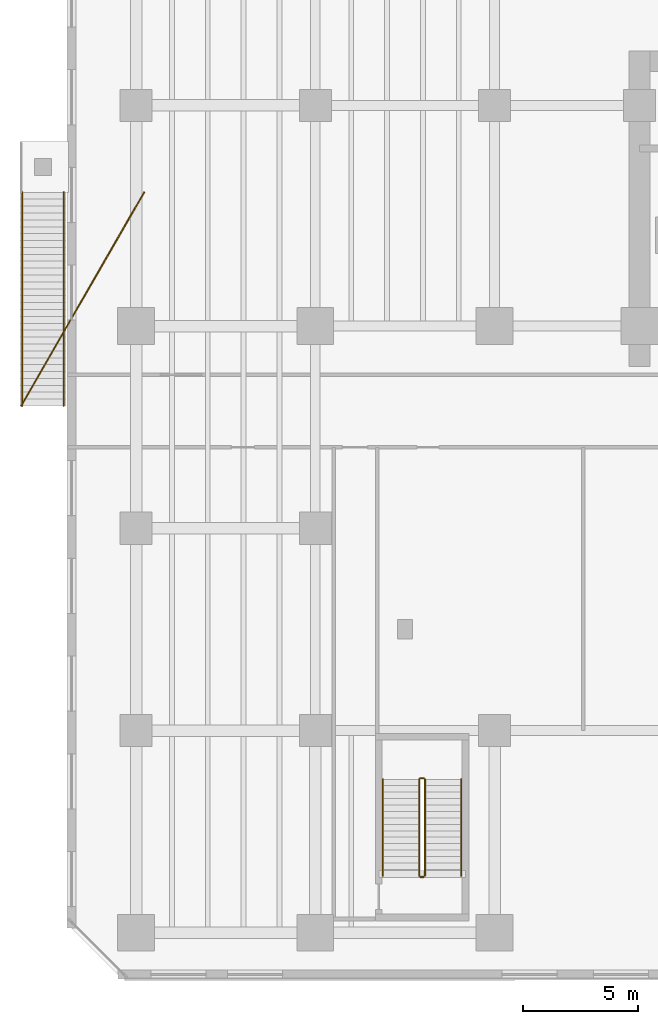
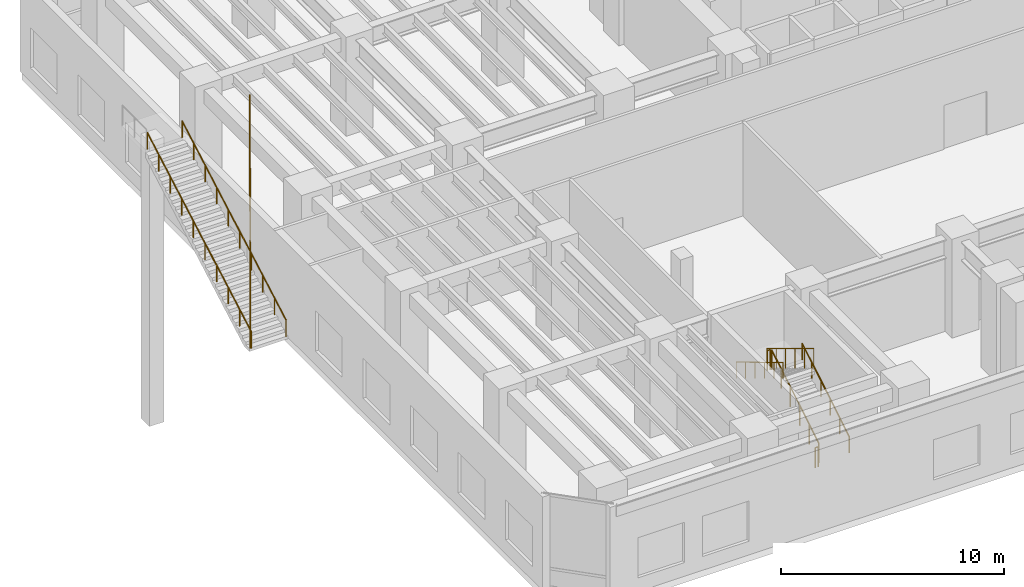
# One storey, part 18 of 21: 9 railings.
"""IFC4 building model written with IfcOpenShell, lengths in metres."""

from ifc_helpers import new_model, si_unit, direction, frame, origin, origin_2d, place, context, subcontext, project, spatial, circle, extrude, material, type_object, element, save


model = new_model("IFC4")

# Units and contexts
model_context = context("Model", 3, precision=1e-05, world=origin(), true_north=direction((0.0, 1.0)))
body_context = subcontext(model_context, "Body", "Model", "MODEL_VIEW")
ifc_project = project(units=[si_unit("LENGTHUNIT", "METRE"), si_unit("AREAUNIT", "SQUARE_METRE"), si_unit("VOLUMEUNIT", "CUBIC_METRE"), si_unit("PLANEANGLEUNIT", "RADIAN"), si_unit("MASSUNIT", "GRAM", prefix="KILO")], contexts=[model_context])

# Site, building, storey
site_placement = place(None, origin())
site = spatial("IfcSite", under=ifc_project, at=site_placement, CompositionType="ELEMENT")
building_placement = place(site_placement, origin())
building = spatial("IfcBuilding", under=site, at=building_placement, Name="Kestravale Grand Hotel", CompositionType="ELEMENT")
storey_placement = place(building_placement, frame((0.0, 0.0, 10.39990234375)))
storey = spatial("IfcBuildingStorey", under=building, at=storey_placement, Name="L02", CompositionType="ELEMENT", Elevation=10.39990234375)

# Railings
ifc_material_1 = material(Name="Champagne-bronze stainless steel and laminated glass guard", Category="steel")
railing_type_1 = type_object("IfcRailingType", Name="RL-EXT-1100", PredefinedType="GUARDRAIL", material=ifc_material_1)
railing_1_placement = place(storey_placement, frame((-5.0, 25.320068359375, 0.168701171875)))
element("IfcRailing", 1, at=railing_1_placement, inside=storey, type_object=railing_type_1, Name="L02 garden stair flight guard", PredefinedType="GUARDRAIL", context=body_context, shape_type="SweptSolid", body=[
    extrude(circle(Radius=0.02392578125, at=origin_2d()), frame((0.0, 0.0, 1.09619140625), z_axis=(0.448209427248, 0.779120275264, 0.438269216348), x_axis=(-0.86680279175, 0.498651100685, 0.0)), (0.0, 0.0, 1.0), 11.9365234375),
    extrude(circle(Radius=0.02099609375, at=origin_2d()), origin(), (0.0, 0.0, 1.0), 1.072021484375),
    extrude(circle(Radius=0.02099609375, at=origin_2d()), frame((0.8916015625, 1.550048828125, 0.871826171875)), (0.0, 0.0, 1.0), 1.072021484375),
    extrude(circle(Radius=0.02099609375, at=origin_2d()), frame((1.783447265625, 3.10009765625, 1.743896484375)), (0.0, 0.0, 1.0), 1.072021484375),
    extrude(circle(Radius=0.02099609375, at=origin_2d()), frame((2.675048828125, 4.64990234375, 2.61572265625)), (0.0, 0.0, 1.0), 1.072021484375),
    extrude(circle(Radius=0.02099609375, at=origin_2d()), frame((3.566650390625, 6.199951171875, 3.487548828125)), (0.0, 0.0, 1.0), 1.072021484375),
    extrude(circle(Radius=0.02099609375, at=origin_2d()), frame((4.45849609375, 7.75, 4.359619140625)), (0.0, 0.0, 1.0), 1.072021484375),
    extrude(circle(Radius=0.02099609375, at=origin_2d()), frame((5.35009765625, 9.300048828125, 5.2314453125)), (0.0, 0.0, 1.0), 1.072021484375),
])
ifc_material_2 = material(Name="Brushed bronze stainless steel handrail", Category="steel")
railing_type_2 = type_object("IfcRailingType", Name="RL-EXT-915", PredefinedType="HANDRAIL", material=ifc_material_2)
for number, where, name in (
    (2, (-4.949951171875, 25.320068359375, 0.168701171875), "L02 garden stair handrail W"),
    (3, (-3.14990234375, 25.320068359375, 0.168701171875), "L02 garden stair handrail E"),
):
    element("IfcRailing", number, at=place(storey_placement, frame(where)), inside=storey, type_object=railing_type_2, Name=name, PredefinedType="HANDRAIL", context=body_context, shape_type="SweptSolid", body=[
        extrude(circle(Radius=0.02392578125, at=origin_2d()), frame((0.0, 0.0, 0.89111328125), z_axis=(0.0, 0.871568815611, 0.490273188799), x_axis=(-1.0, 0.0, 0.0)), (0.0, 0.0, 1.0), 10.67041015625),
        extrude(circle(Radius=0.02099609375, at=origin_2d()), origin(), (0.0, 0.0, 1.0), 0.866943359375),
        extrude(circle(Radius=0.02099609375, at=origin_2d()), frame((0.0, 1.033447265625, 0.581298828125)), (0.0, 0.0, 1.0), 0.866943359375),
        extrude(circle(Radius=0.02099609375, at=origin_2d()), frame((0.0, 2.066650390625, 1.16259765625)), (0.0, 0.0, 1.0), 0.866943359375),
        extrude(circle(Radius=0.02099609375, at=origin_2d()), frame((0.0, 3.10009765625, 1.743896484375)), (0.0, 0.0, 1.0), 0.866943359375),
        extrude(circle(Radius=0.02099609375, at=origin_2d()), frame((0.0, 4.13330078125, 2.3251953125)), (0.0, 0.0, 1.0), 0.866943359375),
        extrude(circle(Radius=0.02099609375, at=origin_2d()), frame((0.0, 5.166748046875, 2.90625)), (0.0, 0.0, 1.0), 0.866943359375),
        extrude(circle(Radius=0.02099609375, at=origin_2d()), frame((0.0, 6.199951171875, 3.487548828125)), (0.0, 0.0, 1.0), 0.866943359375),
        extrude(circle(Radius=0.02099609375, at=origin_2d()), frame((0.0, 7.2333984375, 4.06884765625)), (0.0, 0.0, 1.0), 0.866943359375),
        extrude(circle(Radius=0.02099609375, at=origin_2d()), frame((0.0, 8.2666015625, 4.650146484375)), (0.0, 0.0, 1.0), 0.866943359375),
        extrude(circle(Radius=0.02099609375, at=origin_2d()), frame((0.0, 9.300048828125, 5.2314453125)), (0.0, 0.0, 1.0), 0.866943359375),
    ])
ifc_material_3 = material(Name="Painted tubular steel stair well guard", Category="steel")
railing_type_3 = type_object("IfcRailingType", Name="RL-ST-GRD1100", PredefinedType="GUARDRAIL", material=ifc_material_3)
railing_2_placement = place(storey_placement, frame((12.570068359375, 4.8798828125, 0.1689453125)))
element("IfcRailing", 4, at=railing_2_placement, inside=storey, type_object=railing_type_3, Name="L02 ST-4 stair guard 1", PredefinedType="GUARDRAIL", context=body_context, shape_type="SweptSolid", body=[
    extrude(circle(Radius=0.02392578125, at=origin_2d()), frame((0.0, 0.0, 1.076171875), z_axis=(0.0, 0.856489757249, 0.516164020179), x_axis=(-1.0, 0.0, 0.0)), (0.0, 0.0, 1.0), 4.904052734375),
    extrude(circle(Radius=0.02099609375, at=origin_2d()), origin(), (0.0, 0.0, 1.0), 1.052001953125),
    extrude(circle(Radius=0.02099609375, at=origin_2d()), frame((0.0, 0.840087890625, 0.50634765625)), (0.0, 0.0, 1.0), 1.052001953125),
    extrude(circle(Radius=0.02099609375, at=origin_2d()), frame((0.0, 1.68017578125, 1.012451171875)), (0.0, 0.0, 1.0), 1.052001953125),
    extrude(circle(Radius=0.02099609375, at=origin_2d()), frame((0.0, 2.52001953125, 1.518798828125)), (0.0, 0.0, 1.0), 1.052001953125),
    extrude(circle(Radius=0.02099609375, at=origin_2d()), frame((0.0, 3.360107421875, 2.02490234375)), (0.0, 0.0, 1.0), 1.052001953125),
    extrude(circle(Radius=0.02099609375, at=origin_2d()), frame((0.0, 4.2001953125, 2.53125)), (0.0, 0.0, 1.0), 1.052001953125),
])
railing_3_placement = place(storey_placement, frame((12.52001953125, 9.1298828125, 2.7001953125)))
element("IfcRailing", 5, at=railing_3_placement, inside=storey, type_object=railing_type_3, Name="L02 ST-4 stair guard 2", PredefinedType="GUARDRAIL", context=body_context, shape_type="SweptSolid", body=[
    extrude(circle(Radius=0.02392578125, at=origin_2d()), frame((0.0, 0.0, 1.076171875), z_axis=(-1.0, 0.0, 0.0), x_axis=(0.0, -1.0, 0.0)), (0.0, 0.0, 1.0), 0.14990234375),
    extrude(circle(Radius=0.02099609375, at=origin_2d()), origin(), (0.0, 0.0, 1.0), 1.052001953125),
    extrude(circle(Radius=0.02099609375, at=origin_2d()), frame((-0.14990234375, 0.0, 0.0)), (0.0, 0.0, 1.0), 1.052001953125),
])
railing_4_placement = place(storey_placement, frame((12.320068359375, 9.080078125, 2.868896484375)))
element("IfcRailing", 6, at=railing_4_placement, inside=storey, type_object=railing_type_3, Name="L02 ST-4 stair guard 3", PredefinedType="GUARDRAIL", context=body_context, shape_type="SweptSolid", body=[
    extrude(circle(Radius=0.02392578125, at=origin_2d()), frame((0.0, 0.0, 1.076171875), z_axis=(0.0, -0.856489757249, 0.516164020179), x_axis=(1.0, 0.0, 0.0)), (0.0, 0.0, 1.0), 4.904052734375),
    extrude(circle(Radius=0.02099609375, at=origin_2d()), origin(), (0.0, 0.0, 1.0), 1.052001953125),
    extrude(circle(Radius=0.02099609375, at=origin_2d()), frame((0.0, -0.840087890625, 0.50634765625)), (0.0, 0.0, 1.0), 1.052001953125),
    extrude(circle(Radius=0.02099609375, at=origin_2d()), frame((0.0, -1.68017578125, 1.012451171875)), (0.0, 0.0, 1.0), 1.052001953125),
    extrude(circle(Radius=0.02099609375, at=origin_2d()), frame((0.0, -2.52001953125, 1.518798828125)), (0.0, 0.0, 1.0), 1.052001953125),
    extrude(circle(Radius=0.02099609375, at=origin_2d()), frame((0.0, -3.360107421875, 2.02490234375)), (0.0, 0.0, 1.0), 1.052001953125),
    extrude(circle(Radius=0.02099609375, at=origin_2d()), frame((0.0, -4.2001953125, 2.53125)), (0.0, 0.0, 1.0), 1.052001953125),
])
railing_5_placement = place(storey_placement, frame((12.52001953125, 4.830078125, 0.0)))
element("IfcRailing", 7, at=railing_5_placement, inside=storey, type_object=railing_type_3, Name="L02 ST-4 stair guard 4", PredefinedType="GUARDRAIL", context=body_context, shape_type="SweptSolid", body=[
    extrude(circle(Radius=0.02392578125, at=origin_2d()), frame((0.0, 0.0, 1.076171875), z_axis=(-1.0, 0.0, 0.0), x_axis=(0.0, -1.0, 0.0)), (0.0, 0.0, 1.0), 0.14990234375),
    extrude(circle(Radius=0.02099609375, at=origin_2d()), origin(), (0.0, 0.0, 1.0), 1.052001953125),
    extrude(circle(Radius=0.02099609375, at=origin_2d()), frame((-0.14990234375, 0.0, 0.0)), (0.0, 0.0, 1.0), 1.052001953125),
])
ifc_material_4 = material(Name="Brushed stainless steel wall handrail", Category="steel")
railing_type_4 = type_object("IfcRailingType", Name="RL-ST-HND900", PredefinedType="HANDRAIL", material=ifc_material_4)
railing_6_placement = place(storey_placement, frame((14.14990234375, 4.8798828125, 0.1689453125)))
element("IfcRailing", 8, at=railing_6_placement, inside=storey, type_object=railing_type_4, Name="L02 ST-4 stair handrail 1", PredefinedType="HANDRAIL", context=body_context, shape_type="SweptSolid", body=[
    extrude(circle(Radius=0.02392578125, at=origin_2d()), frame((0.0, 0.0, 0.8759765625), z_axis=(0.0, 0.856489757249, 0.516164020179), x_axis=(-1.0, 0.0, 0.0)), (0.0, 0.0, 1.0), 4.904052734375),
    extrude(circle(Radius=0.02099609375, at=origin_2d()), origin(), (0.0, 0.0, 1.0), 0.851806640625),
    extrude(circle(Radius=0.02099609375, at=origin_2d()), frame((0.0, 0.840087890625, 0.50634765625)), (0.0, 0.0, 1.0), 0.851806640625),
    extrude(circle(Radius=0.02099609375, at=origin_2d()), frame((0.0, 1.68017578125, 1.012451171875)), (0.0, 0.0, 1.0), 0.851806640625),
    extrude(circle(Radius=0.02099609375, at=origin_2d()), frame((0.0, 2.52001953125, 1.518798828125)), (0.0, 0.0, 1.0), 0.851806640625),
    extrude(circle(Radius=0.02099609375, at=origin_2d()), frame((0.0, 3.360107421875, 2.02490234375)), (0.0, 0.0, 1.0), 0.851806640625),
    extrude(circle(Radius=0.02099609375, at=origin_2d()), frame((0.0, 4.2001953125, 2.53125)), (0.0, 0.0, 1.0), 0.851806640625),
])
railing_7_placement = place(storey_placement, frame((10.739990234375, 9.080078125, 2.868896484375)))
element("IfcRailing", 9, at=railing_7_placement, inside=storey, type_object=railing_type_4, Name="L02 ST-4 stair handrail 2", PredefinedType="HANDRAIL", context=body_context, shape_type="SweptSolid", body=[
    extrude(circle(Radius=0.02392578125, at=origin_2d()), frame((0.0, 0.0, 0.8759765625), z_axis=(0.0, -0.856489757249, 0.516164020179), x_axis=(1.0, 0.0, 0.0)), (0.0, 0.0, 1.0), 4.904052734375),
    extrude(circle(Radius=0.02099609375, at=origin_2d()), origin(), (0.0, 0.0, 1.0), 0.851806640625),
    extrude(circle(Radius=0.02099609375, at=origin_2d()), frame((0.0, -0.840087890625, 0.50634765625)), (0.0, 0.0, 1.0), 0.851806640625),
    extrude(circle(Radius=0.02099609375, at=origin_2d()), frame((0.0, -1.68017578125, 1.012451171875)), (0.0, 0.0, 1.0), 0.851806640625),
    extrude(circle(Radius=0.02099609375, at=origin_2d()), frame((0.0, -2.52001953125, 1.518798828125)), (0.0, 0.0, 1.0), 0.851806640625),
    extrude(circle(Radius=0.02099609375, at=origin_2d()), frame((0.0, -3.360107421875, 2.02490234375)), (0.0, 0.0, 1.0), 0.851806640625),
    extrude(circle(Radius=0.02099609375, at=origin_2d()), frame((0.0, -4.2001953125, 2.53125)), (0.0, 0.0, 1.0), 0.851806640625),
])

save(model, "model.ifc")
